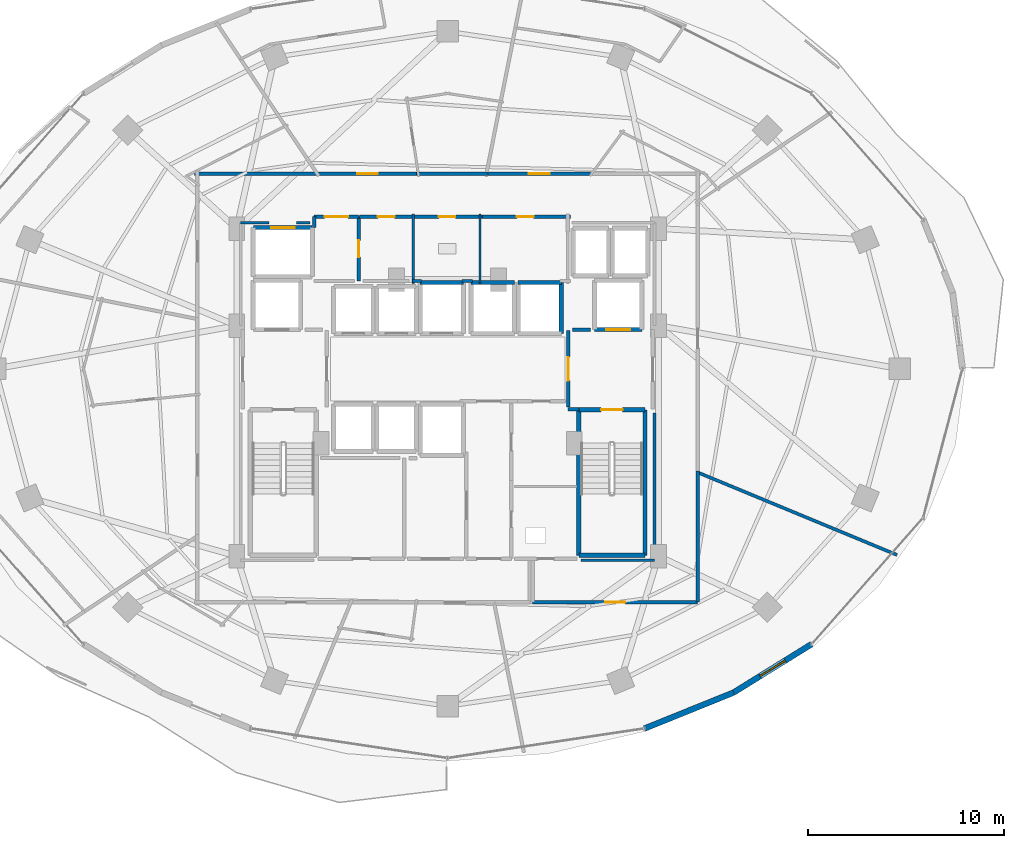
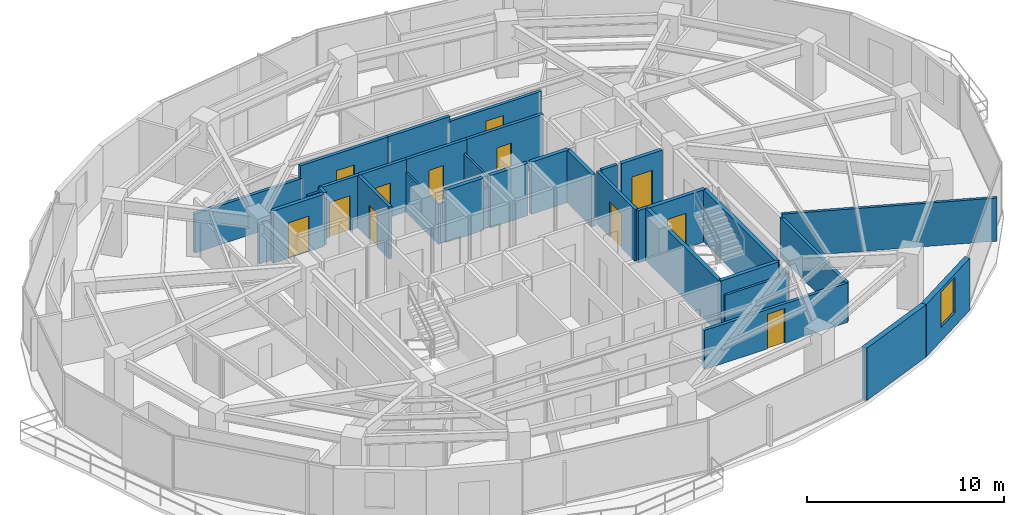
# One storey, part 24 of 29: 36 walls, 12 doors, 1 window, 13 openings.
"""IFC4 building model written with IfcOpenShell, lengths in metres."""

from ifc_helpers import new_model, si_unit, direction, frame, frame_2d, origin, place, context, subcontext, project, spatial, rectangle, extrude, material, layer, layer_set, type_object, element, fill, save


model = new_model("IFC4")

# Units and contexts
model_context = context("Model", 3, precision=1e-05, world=origin(), true_north=direction((0.0, 1.0)))
body_context = subcontext(model_context, "Body", "Model", "MODEL_VIEW")
ifc_project = project(units=[si_unit("LENGTHUNIT", "METRE"), si_unit("AREAUNIT", "SQUARE_METRE"), si_unit("VOLUMEUNIT", "CUBIC_METRE"), si_unit("PLANEANGLEUNIT", "RADIAN"), si_unit("MASSUNIT", "GRAM", prefix="KILO")], contexts=[model_context])

# Site, building, storey
site_placement = place(None, origin())
site = spatial("IfcSite", under=ifc_project, at=site_placement, CompositionType="ELEMENT")
building_placement = place(site_placement, origin())
building = spatial("IfcBuilding", under=site, at=building_placement, Name="Vorneva Point Tower", CompositionType="ELEMENT")
storey_placement = place(building_placement, frame((0.0, 0.0, 82.300048828125)))
storey = spatial("IfcBuildingStorey", under=building, at=storey_placement, Name="L21", CompositionType="ELEMENT", Elevation=82.300048828125)

# Wall, opening, door
ifc_material_1 = material(Name="Concrete B60 (C50/60)", Category="concrete")
ifc_layer_1 = layer(ifc_material_1, 0.5)
ifc_layer_set_1 = layer_set([ifc_layer_1], Name="Concrete B60 (C50/60)")
wall_type_1 = type_object("IfcWallType", Name="WL-CORE-500", PredefinedType="SHEAR", material=ifc_layer_set_1)
wall_1_placement = place(storey_placement, frame((45.5, 28.0, 0.0), z_axis=(0.0, 0.0, 1.0), x_axis=(1.0, 0.0, 0.0)))
wall_1 = element("IfcWall", 1, at=wall_1_placement, inside=storey, type_object=wall_type_1, Name="L21 Lift FFL2 Shaft Wall -Y", PredefinedType="SHEAR", context=body_context, shape_type="SweptSolid", body=[
    extrude(rectangle(XDim=2.39990234375, YDim=0.219970703125, at=frame_2d((1.199951171875, 0.0))), origin(), (0.0, 0.0, 1.0), 3.239990234375),
])
opening_1_placement = place(wall_1_placement, frame((0.60009765625, 0.0, 0.0)))
opening_1 = element("IfcOpeningElement", 2, at=opening_1_placement, cuts=wall_1, Name="Opening LD-02", PredefinedType="OPENING", context=body_context, shape_type="SweptSolid", body=[
    extrude(rectangle(XDim=1.199951171875, YDim=2.199951171875, at=frame_2d((0.60009765625, 1.10009765625))), frame((0.0, 0.125, 0.0), z_axis=(0.0, -1.0, 0.0), x_axis=(1.0, 0.0, 0.0)), (0.0, 0.0, 1.0), 0.249755859375),
])
ifc_material_2 = material(Name="Brushed stainless steel S304", Category="steel")
door_type_1 = type_object("IfcDoorType", Name="LD-FIRE-1200", OperationType="SLIDING_TO_LEFT", PredefinedType="DOOR", material=ifc_material_2)
door_1_placement = place(opening_1_placement, origin())
door_1 = element("IfcDoor", 3, at=door_1_placement, inside=storey, type_object=door_type_1, Name="L21 Lift FFL2 Sliding Landing Door", OperationType="SLIDING_TO_LEFT", OverallHeight=2.199951171875, OverallWidth=1.199951171875, PredefinedType="DOOR", context=body_context, shape_type="SweptSolid", body=[
    extrude(rectangle(XDim=1.199951171875, YDim=2.199951171875, at=frame_2d((0.60009765625, 1.10009765625))), frame((0.0, 0.02490234375, 0.0), z_axis=(0.0, -1.0, 0.0), x_axis=(1.0, 0.0, 0.0)), (0.0, 0.0, 1.0), 0.050048828125),
])
fill(opening_1, door_1)

# Wall
ifc_material_3 = material(Name="Precast concrete B50 (C40/50)", Category="concrete")
ifc_layer_2 = layer(ifc_material_3, 0.300048828125)
ifc_layer_set_2 = layer_set([ifc_layer_2], Name="Precast concrete B50 (C40/50)")
wall_type_2 = type_object("IfcWallType", Name="WL-EXT-300", PredefinedType="STANDARD", material=ifc_layer_set_2)
wall_2_placement = place(storey_placement, frame((48.04541015625, 7.660888671875, 0.0), z_axis=(0.0, 0.0, 1.0), x_axis=(0.927122233109, 0.374759075775, 0.0)))
element("IfcWall", 4, at=wall_2_placement, inside=storey, type_object=wall_type_2, Name="L21 Pale-Metal Facade Spandrel Wall 14.1", PredefinedType="STANDARD", context=body_context, shape_type="SweptSolid", body=[
    extrude(rectangle(XDim=4.89501953125, YDim=0.300048828125, at=frame_2d((2.447509765625, 0.0))), origin(), (0.0, 0.0, 1.0), 3.239990234375),
])

# Wall, opening, window
wall_3_placement = place(storey_placement, frame((52.583740234375, 9.495361328125, 0.0), z_axis=(0.0, 0.0, 1.0), x_axis=(0.849684479743, 0.527291461038, 0.0)))
wall_3 = element("IfcWall", 5, at=wall_3_placement, inside=storey, type_object=wall_type_2, Name="L21 Pale-Metal Facade Spandrel Wall 14.2", PredefinedType="STANDARD", context=body_context, shape_type="SweptSolid", body=[
    extrude(rectangle(XDim=4.681396484375, YDim=0.300048828125, at=frame_2d((2.3408203125, 0.0))), origin(), (0.0, 0.0, 1.0), 3.239990234375),
])
opening_2_placement = place(wall_3_placement, frame((1.5908203125, 0.0, 0.85009765625)))
opening_2 = element("IfcOpeningElement", 6, at=opening_2_placement, cuts=wall_3, Name="Opening W-02", PredefinedType="OPENING", context=body_context, shape_type="SweptSolid", body=[
    extrude(rectangle(XDim=1.5, YDim=2.18994140625, at=frame_2d((0.75, 1.094970703125))), frame((0.0, 0.1650390625, 0.0), z_axis=(0.0, -1.0, 0.0), x_axis=(1.0, 0.0, 0.0)), (0.0, 0.0, 1.0), 0.329833984375),
])
ifc_material_4 = material(Name="Double low-e laminated glass IGU", Category="glass")
window_type = type_object("IfcWindowType", Name="WN-HTL-1500", PartitioningType="SINGLE_PANEL", PredefinedType="WINDOW", material=ifc_material_4)
window_placement = place(opening_2_placement, origin())
window = element("IfcWindow", 7, at=window_placement, inside=storey, type_object=window_type, Name="L21 Facade Window 14", OverallHeight=2.18994140625, OverallWidth=1.5, PartitioningType="SINGLE_PANEL", PredefinedType="WINDOW", context=body_context, shape_type="SweptSolid", body=[
    extrude(rectangle(XDim=1.5, YDim=2.18994140625, at=frame_2d((0.75, 1.094970703125))), frame((0.0, 0.030029296875, 0.0), z_axis=(0.0, -1.0, 0.0), x_axis=(1.0, 0.0, 0.0)), (0.0, 0.0, 1.0), 0.06005859375),
])
fill(opening_2, window)

# Walls
ifc_material_5 = material(Name="Fire-rated acoustic gypsum stud partition", Category="gypsum")
ifc_layer_3 = layer(ifc_material_5, 0.110107421875)
ifc_layer_set_3 = layer_set([ifc_layer_3], Name="Fire-rated acoustic gypsum stud partition")
wall_type_3 = type_object("IfcWallType", Name="WL-PART-110", PredefinedType="PARTITIONING", material=ifc_layer_set_3)
for number, where, z_axis, x_axis, name in (
    (8, (36.25, 30.340087890625, 0.0), (0.0, 0.0, 1.0), (0.0, 1.0, 0.0), "L21 Interior Partition 017"),
    (9, (39.64990234375, 30.340087890625, 0.0), (0.0, 0.0, 1.0), (0.0, 1.0, 0.0), "L21 Interior Partition 019"),
):
    element("IfcWall", number, at=place(storey_placement, frame(where, z_axis=z_axis, x_axis=x_axis)), inside=storey, type_object=wall_type_3, Name=name, PredefinedType="PARTITIONING", context=body_context, shape_type="SweptSolid", body=[
        extrude(rectangle(XDim=3.559814453125, YDim=0.110107421875, at=frame_2d((1.77978515625, 0.0))), origin(), (0.0, 0.0, 1.0), 2.431884765625),
    ])
ifc_layer_4 = layer(ifc_material_5, 0.139892578125)
ifc_layer_set_4 = layer_set([ifc_layer_4], Name="Fire-rated acoustic gypsum stud partition")
wall_type_4 = type_object("IfcWallType", Name="WL-PART-140", PredefinedType="PARTITIONING", material=ifc_layer_set_4)
wall_4_placement = place(storey_placement, frame((36.219970703125, 30.47998046875, 0.0), z_axis=(0.0, 0.0, 1.0), x_axis=(1.0, 0.0, 0.0)))
element("IfcWall", 10, at=wall_4_placement, inside=storey, type_object=wall_type_4, Name="L21 Interior Closure Partition 098", PredefinedType="PARTITIONING", context=body_context, shape_type="SweptSolid", body=[
    extrude(rectangle(XDim=0.445068359375, YDim=0.139892578125, at=frame_2d((0.22265625, 0.0))), origin(), (0.0, 0.0, 1.0), 2.431884765625),
])
wall_5_placement = place(storey_placement, frame((38.735107421875, 30.47998046875, 0.0), z_axis=(0.0, 0.0, 1.0), x_axis=(1.0, 0.0, 0.0)))
element("IfcWall", 11, at=wall_5_placement, inside=storey, type_object=wall_type_4, Name="L21 Interior Closure Partition 099", PredefinedType="PARTITIONING", context=body_context, shape_type="SweptSolid", body=[
    extrude(rectangle(XDim=0.52978515625, YDim=0.139892578125, at=frame_2d((0.264892578125, 0.0))), origin(), (0.0, 0.0, 1.0), 2.431884765625),
])
wall_6_placement = place(storey_placement, frame((48.550048828125, 23.75390625, 0.0), z_axis=(0.0, 0.0, 1.0), x_axis=(0.0, -1.0, 0.0)))
element("IfcWall", 12, at=wall_6_placement, inside=storey, type_object=wall_type_4, Name="L21 Interior Closure Partition 106", PredefinedType="PARTITIONING", context=body_context, shape_type="SweptSolid", body=[
    extrude(rectangle(XDim=7.513916015625, YDim=0.139892578125, at=frame_2d((3.7568359375, 0.0))), origin(), (0.0, 0.0, 1.0), 2.431884765625),
])
wall_7_placement = place(storey_placement, frame((48.550048828125, 16.239990234375, 0.0), z_axis=(0.0, 0.0, 1.0), x_axis=(-1.0, 0.0, 0.0)))
element("IfcWall", 13, at=wall_7_placement, inside=storey, type_object=wall_type_4, Name="L21 Interior Closure Partition 107", PredefinedType="PARTITIONING", context=body_context, shape_type="SweptSolid", body=[
    extrude(rectangle(XDim=3.7451171875, YDim=0.139892578125, at=frame_2d((1.87255859375, 0.0))), origin(), (0.0, 0.0, 1.0), 2.431884765625),
])
wall_8_placement = place(storey_placement, frame((27.449951171875, 33.449951171875, 0.0), z_axis=(0.0, 0.0, 1.0), x_axis=(1.0, 0.0, 0.0)))
element("IfcWall", 14, at=wall_8_placement, inside=storey, type_object=wall_type_4, Name="L21 Interior Closure Partition 111", PredefinedType="PARTITIONING", context=body_context, shape_type="SweptSolid", body=[
    extrude(rectangle(XDim=1.444091796875, YDim=0.139892578125, at=frame_2d((0.72216796875, 0.0))), origin(), (0.0, 0.0, 1.0), 2.431884765625),
])
wall_9_placement = place(storey_placement, frame((30.305908203125, 33.449951171875, 0.0), z_axis=(0.0, 0.0, 1.0), x_axis=(1.0, 0.0, 0.0)))
element("IfcWall", 15, at=wall_9_placement, inside=storey, type_object=wall_type_4, Name="L21 Interior Closure Partition 112", PredefinedType="PARTITIONING", context=body_context, shape_type="SweptSolid", body=[
    extrude(rectangle(XDim=0.674072265625, YDim=0.139892578125, at=frame_2d((0.3369140625, 0.0))), origin(), (0.0, 0.0, 1.0), 3.239990234375),
])
ifc_layer_5 = layer(ifc_material_5, 0.159912109375)
ifc_layer_set_5 = layer_set([ifc_layer_5], Name="Fire-rated acoustic gypsum stud partition")
wall_type_5 = type_object("IfcWallType", Name="WL-PART-160", PredefinedType="PARTITIONING", material=ifc_layer_set_5)
wall_10_placement = place(storey_placement, frame((60.910888671875, 16.510009765625, 0.0), z_axis=(0.0, 0.0, 1.0), x_axis=(-0.923872894692, 0.382699457086, 0.0)))
element("IfcWall", 16, at=wall_10_placement, inside=storey, type_object=wall_type_5, Name="L21 Interior Partition 093", PredefinedType="PARTITIONING", context=body_context, shape_type="SweptSolid", body=[
    extrude(rectangle(XDim=10.998046875, YDim=0.159912109375, at=frame_2d((5.4990234375, 0.0))), origin(), (0.0, 0.0, 1.0), 2.677001953125),
])

# Wall, opening, door
ifc_material_6 = material(Name="Autoclaved aerated concrete blockwork", Category="masonry")
ifc_layer_6 = layer(ifc_material_6, 0.179931640625)
ifc_layer_set_6 = layer_set([ifc_layer_6], Name="Autoclaved aerated concrete blockwork")
wall_type_6 = type_object("IfcWallType", Name="WL-PART-180", PredefinedType="PARTITIONING", material=ifc_layer_set_6)
wall_11_placement = place(storey_placement, frame((44.14990234375, 27.955078125, 0.0), z_axis=(0.0, 0.0, 1.0), x_axis=(0.0, -1.0, 0.0)))
wall_11 = element("IfcWall", 17, at=wall_11_placement, inside=storey, type_object=wall_type_6, Name="L21 Interior Partition 003", PredefinedType="PARTITIONING", context=body_context, shape_type="SweptSolid", body=[
    extrude(rectangle(XDim=3.91015625, YDim=0.179931640625, at=frame_2d((1.955078125, 0.0))), origin(), (0.0, 0.0, 1.0), 3.239990234375),
])
opening_3_placement = place(wall_11_placement, frame((1.35498046875, 0.0, 0.0)))
opening_3 = element("IfcOpeningElement", 18, at=opening_3_placement, cuts=wall_11, Name="Opening FD-02", PredefinedType="OPENING", context=body_context, shape_type="SweptSolid", body=[
    extrude(rectangle(XDim=1.199951171875, YDim=2.14990234375, at=frame_2d((0.60009765625, 1.074951171875))), frame((0.0, 0.10498046875, 0.0), z_axis=(0.0, -1.0, 0.0), x_axis=(1.0, 0.0, 0.0)), (0.0, 0.0, 1.0), 0.209716796875),
])
ifc_material_7 = material(Name="Fire-rated powder-coated steel", Category="steel")
door_type_2 = type_object("IfcDoorType", Name="DR-FFL-1200", OperationType="NOTDEFINED", PredefinedType="DOOR", material=ifc_material_7)
door_2_placement = place(opening_3_placement, origin())
door_2 = element("IfcDoor", 19, at=door_2_placement, inside=storey, type_object=door_type_2, Name="L21 Door East Firefighting Lobby / Central Lift Lobby", OperationType="SINGLE_SWING_LEFT", OverallHeight=2.14990234375, OverallWidth=1.199951171875, PredefinedType="DOOR", context=body_context, shape_type="SweptSolid", body=[
    extrude(rectangle(XDim=1.199951171875, YDim=2.14990234375, at=frame_2d((0.60009765625, 1.074951171875))), frame((0.0, 0.02490234375, 0.0), z_axis=(0.0, -1.0, 0.0), x_axis=(1.0, 0.0, 0.0)), (0.0, 0.0, 1.0), 0.050048828125),
])
fill(opening_3, door_2)

# Wall
wall_12_placement = place(storey_placement, frame((44.14990234375, 23.949951171875, 0.0), z_axis=(0.0, 0.0, 1.0), x_axis=(1.0, 0.0, 0.0)))
element("IfcWall", 20, at=wall_12_placement, inside=storey, type_object=wall_type_6, Name="L21 Interior Partition 004", PredefinedType="PARTITIONING", context=body_context, shape_type="SweptSolid", body=[
    extrude(rectangle(XDim=0.5400390625, YDim=0.179931640625, at=frame_2d((0.27001953125, 0.0))), origin(), (0.0, 0.0, 1.0), 3.239990234375),
])

# Wall, opening, door
wall_13_placement = place(storey_placement, frame((33.469970703125, 30.47998046875, 0.0), z_axis=(0.0, 0.0, 1.0), x_axis=(0.0, 1.0, 0.0)))
wall_13 = element("IfcWall", 21, at=wall_13_placement, inside=storey, type_object=wall_type_6, Name="L21 Interior Partition 006", PredefinedType="PARTITIONING", context=body_context, shape_type="SweptSolid", body=[
    extrude(rectangle(XDim=3.280029296875, YDim=0.179931640625, at=frame_2d((1.64013671875, 0.0))), origin(), (0.0, 0.0, 1.0), 3.239990234375),
])
opening_4_placement = place(wall_13_placement, frame((1.215087890625, 0.0, 0.0)))
opening_4 = element("IfcOpeningElement", 22, at=opening_4_placement, cuts=wall_13, Name="Opening ID-02", PredefinedType="OPENING", context=body_context, shape_type="SweptSolid", body=[
    extrude(rectangle(XDim=0.85009765625, YDim=2.10009765625, at=frame_2d((0.425048828125, 1.050048828125))), frame((0.0, 0.10498046875, 0.0), z_axis=(0.0, -1.0, 0.0), x_axis=(1.0, 0.0, 0.0)), (0.0, 0.0, 1.0), 0.209716796875),
])
ifc_material_8 = material(Name="Engineered oak fire-rated door leaf", Category="wood")
door_type_3 = type_object("IfcDoorType", Name="DR-BATH-850", OperationType="NOTDEFINED", PredefinedType="DOOR", material=ifc_material_8)
door_3_placement = place(opening_4_placement, origin())
door_3 = element("IfcDoor", 23, at=door_3_placement, inside=storey, type_object=door_type_3, Name="L21 Door Service Lift Lobby / Core Supply Store", OperationType="SINGLE_SWING_LEFT", OverallHeight=2.10009765625, OverallWidth=0.85009765625, PredefinedType="DOOR", context=body_context, shape_type="SweptSolid", body=[
    extrude(rectangle(XDim=0.85009765625, YDim=2.10009765625, at=frame_2d((0.425048828125, 1.050048828125))), frame((0.0, 0.02490234375, 0.0), z_axis=(0.0, -1.0, 0.0), x_axis=(1.0, 0.0, 0.0)), (0.0, 0.0, 1.0), 0.050048828125),
])
fill(opening_4, door_3)

wall_14_placement = place(storey_placement, frame((33.469970703125, 33.760009765625, 0.0), z_axis=(0.0, 0.0, 1.0), x_axis=(-1.0, 0.0, 0.0)))
wall_14 = element("IfcWall", 24, at=wall_14_placement, inside=storey, type_object=wall_type_6, Name="L21 Interior Partition 007", PredefinedType="PARTITIONING", context=body_context, shape_type="SweptSolid", body=[
    extrude(rectangle(XDim=2.27001953125, YDim=0.179931640625, at=frame_2d((1.135009765625, 0.0))), origin(), (0.0, 0.0, 1.0), 3.239990234375),
])
opening_5_placement = place(wall_14_placement, frame((0.534912109375, 0.0, 0.0)))
opening_5 = element("IfcOpeningElement", 25, at=opening_5_placement, cuts=wall_14, Name="Opening FD-02", PredefinedType="OPENING", context=body_context, shape_type="SweptSolid", body=[
    extrude(rectangle(XDim=1.199951171875, YDim=2.14990234375, at=frame_2d((0.60009765625, 1.074951171875))), frame((0.0, 0.10498046875, 0.0), z_axis=(0.0, -1.0, 0.0), x_axis=(1.0, 0.0, 0.0)), (0.0, 0.0, 1.0), 0.209716796875),
])
door_4_placement = place(opening_5_placement, origin())
door_4 = element("IfcDoor", 26, at=door_4_placement, inside=storey, type_object=door_type_2, Name="L21 Door Service Lift Lobby / L21 Circulation Corridor", OperationType="SINGLE_SWING_RIGHT", OverallHeight=2.14990234375, OverallWidth=1.199951171875, PredefinedType="DOOR", context=body_context, shape_type="SweptSolid", body=[
    extrude(rectangle(XDim=1.199951171875, YDim=2.14990234375, at=frame_2d((0.60009765625, 1.074951171875))), frame((0.0, 0.02490234375, 0.0), z_axis=(0.0, -1.0, 0.0), x_axis=(1.0, 0.0, 0.0)), (0.0, 0.0, 1.0), 0.050048828125),
])
fill(opening_5, door_4)

# Wall
wall_15_placement = place(storey_placement, frame((31.199951171875, 33.760009765625, 0.0), z_axis=(0.0, 0.0, 1.0), x_axis=(0.0, -1.0, 0.0)))
element("IfcWall", 27, at=wall_15_placement, inside=storey, type_object=wall_type_6, Name="L21 Interior Partition 008", PredefinedType="PARTITIONING", context=body_context, shape_type="SweptSolid", body=[
    extrude(rectangle(XDim=0.56005859375, YDim=0.179931640625, at=frame_2d((0.280029296875, 0.0))), origin(), (0.0, 0.0, 1.0), 3.239990234375),
])

# Wall, opening, door
wall_16_placement = place(storey_placement, frame((36.25, 33.760009765625, 0.0), z_axis=(0.0, 0.0, 1.0), x_axis=(-1.0, 0.0, 0.0)))
wall_16 = element("IfcWall", 28, at=wall_16_placement, inside=storey, type_object=wall_type_6, Name="L21 Interior Partition 018", PredefinedType="PARTITIONING", context=body_context, shape_type="SweptSolid", body=[
    extrude(rectangle(XDim=2.75, YDim=0.179931640625, at=frame_2d((1.375, 0.0))), origin(), (0.0, 0.0, 1.0), 3.239990234375),
])
opening_6_placement = place(wall_16_placement, frame((0.949951171875, 0.0, 0.0)))
opening_6 = element("IfcOpeningElement", 29, at=opening_6_placement, cuts=wall_16, Name="Opening ID-02", PredefinedType="OPENING", context=body_context, shape_type="SweptSolid", body=[
    extrude(rectangle(XDim=0.85009765625, YDim=2.10009765625, at=frame_2d((0.425048828125, 1.050048828125))), frame((0.0, 0.10498046875, 0.0), z_axis=(0.0, -1.0, 0.0), x_axis=(1.0, 0.0, 0.0)), (0.0, 0.0, 1.0), 0.209716796875),
])
door_5_placement = place(opening_6_placement, origin())
door_5 = element("IfcDoor", 30, at=door_5_placement, inside=storey, type_object=door_type_3, Name="L21 Door Core Supply Store / L21 Circulation Corridor", OperationType="SINGLE_SWING_RIGHT", OverallHeight=2.10009765625, OverallWidth=0.85009765625, PredefinedType="DOOR", context=body_context, shape_type="SweptSolid", body=[
    extrude(rectangle(XDim=0.85009765625, YDim=2.10009765625, at=frame_2d((0.425048828125, 1.050048828125))), frame((0.0, 0.02490234375, 0.0), z_axis=(0.0, -1.0, 0.0), x_axis=(1.0, 0.0, 0.0)), (0.0, 0.0, 1.0), 0.050048828125),
])
fill(opening_6, door_5)

wall_17_placement = place(storey_placement, frame((39.7900390625, 33.760009765625, 0.0), z_axis=(0.0, 0.0, 1.0), x_axis=(-1.0, 0.0, 0.0)))
wall_17 = element("IfcWall", 31, at=wall_17_placement, inside=storey, type_object=wall_type_6, Name="L21 Interior Partition 020", PredefinedType="PARTITIONING", context=body_context, shape_type="SweptSolid", body=[
    extrude(rectangle(XDim=3.630126953125, YDim=0.179931640625, at=frame_2d((1.81494140625, 0.0))), origin(), (0.0, 0.0, 1.0), 3.239990234375),
])
opening_7_placement = place(wall_17_placement, frame((1.389892578125, 0.0, 0.0)))
opening_7 = element("IfcOpeningElement", 32, at=opening_7_placement, cuts=wall_17, Name="Opening ID-02", PredefinedType="OPENING", context=body_context, shape_type="SweptSolid", body=[
    extrude(rectangle(XDim=0.85009765625, YDim=2.10009765625, at=frame_2d((0.425048828125, 1.050048828125))), frame((0.0, 0.10498046875, 0.0), z_axis=(0.0, -1.0, 0.0), x_axis=(1.0, 0.0, 0.0)), (0.0, 0.0, 1.0), 0.209716796875),
])
door_6_placement = place(opening_7_placement, origin())
door_6 = element("IfcDoor", 33, at=door_6_placement, inside=storey, type_object=door_type_3, Name="L21 Door Accessible WC / L21 Circulation Corridor", OperationType="SINGLE_SWING_LEFT", OverallHeight=2.10009765625, OverallWidth=0.85009765625, PredefinedType="DOOR", context=body_context, shape_type="SweptSolid", body=[
    extrude(rectangle(XDim=0.85009765625, YDim=2.10009765625, at=frame_2d((0.425048828125, 1.050048828125))), frame((0.0, 0.02490234375, 0.0), z_axis=(0.0, -1.0, 0.0), x_axis=(1.0, 0.0, 0.0)), (0.0, 0.0, 1.0), 0.050048828125),
])
fill(opening_7, door_6)

wall_18_placement = place(storey_placement, frame((44.260009765625, 33.760009765625, 0.0), z_axis=(0.0, 0.0, 1.0), x_axis=(-1.0, 0.0, 0.0)))
wall_18 = element("IfcWall", 34, at=wall_18_placement, inside=storey, type_object=wall_type_6, Name="L21 Interior Partition 021", PredefinedType="PARTITIONING", context=body_context, shape_type="SweptSolid", body=[
    extrude(rectangle(XDim=4.610107421875, YDim=0.179931640625, at=frame_2d((2.30517578125, 0.0))), origin(), (0.0, 0.0, 1.0), 3.239990234375),
])
opening_8_placement = place(wall_18_placement, frame((1.8798828125, 0.0, 0.0)))
opening_8 = element("IfcOpeningElement", 35, at=opening_8_placement, cuts=wall_18, Name="Opening ID-02", PredefinedType="OPENING", context=body_context, shape_type="SweptSolid", body=[
    extrude(rectangle(XDim=0.85009765625, YDim=2.10009765625, at=frame_2d((0.425048828125, 1.050048828125))), frame((0.0, 0.10498046875, 0.0), z_axis=(0.0, -1.0, 0.0), x_axis=(1.0, 0.0, 0.0)), (0.0, 0.0, 1.0), 0.209716796875),
])
door_7_placement = place(opening_8_placement, origin())
door_7 = element("IfcDoor", 36, at=door_7_placement, inside=storey, type_object=door_type_3, Name="L21 Door Public WC / L21 Circulation Corridor", OperationType="SINGLE_SWING_RIGHT", OverallHeight=2.10009765625, OverallWidth=0.85009765625, PredefinedType="DOOR", context=body_context, shape_type="SweptSolid", body=[
    extrude(rectangle(XDim=0.85009765625, YDim=2.10009765625, at=frame_2d((0.425048828125, 1.050048828125))), frame((0.0, 0.02490234375, 0.0), z_axis=(0.0, -1.0, 0.0), x_axis=(1.0, 0.0, 0.0)), (0.0, 0.0, 1.0), 0.050048828125),
])
fill(opening_8, door_7)

wall_19_placement = place(storey_placement, frame((45.424072265625, 35.949951171875, 0.0), z_axis=(0.0, 0.0, 1.0), x_axis=(-1.0, 0.0, 0.0)))
wall_19 = element("IfcWall", 37, at=wall_19_placement, inside=storey, type_object=wall_type_6, Name="L21 Interior Partition 026", PredefinedType="PARTITIONING", context=body_context, shape_type="SweptSolid", body=[
    extrude(rectangle(XDim=5.505126953125, YDim=0.179931640625, at=frame_2d((2.75244140625, 0.0))), origin(), (0.0, 0.0, 1.0), 2.921875),
])
opening_9_placement = place(wall_19_placement, frame((2.2275390625, 0.0, 0.0)))
opening_9 = element("IfcOpeningElement", 38, at=opening_9_placement, cuts=wall_19, Name="Opening UD-02", PredefinedType="OPENING", context=body_context, shape_type="SweptSolid", body=[
    extrude(rectangle(XDim=1.050048828125, YDim=2.199951171875, at=frame_2d((0.52490234375, 1.10009765625))), frame((0.0, 0.10498046875, 0.0), z_axis=(0.0, -1.0, 0.0), x_axis=(1.0, 0.0, 0.0)), (0.0, 0.0, 1.0), 0.209716796875),
])
door_type_4 = type_object("IfcDoorType", Name="DR-SUITE-1050", OperationType="NOTDEFINED", PredefinedType="DOOR", material=ifc_material_8)
door_8_placement = place(opening_9_placement, origin())
door_8 = element("IfcDoor", 39, at=door_8_placement, inside=storey, type_object=door_type_4, Name="L21 Door L21 Circulation Corridor / Corner Suite L21-01", OperationType="SINGLE_SWING_LEFT", OverallHeight=2.199951171875, OverallWidth=1.050048828125, PredefinedType="DOOR", context=body_context, shape_type="SweptSolid", body=[
    extrude(rectangle(XDim=1.050048828125, YDim=2.199951171875, at=frame_2d((0.52490234375, 1.10009765625))), frame((0.0, 0.02490234375, 0.0), z_axis=(0.0, -1.0, 0.0), x_axis=(1.0, 0.0, 0.0)), (0.0, 0.0, 1.0), 0.050048828125),
])
fill(opening_9, door_8)

wall_20_placement = place(storey_placement, frame((36.56396484375, 35.949951171875, 0.0), z_axis=(0.0, 0.0, 1.0), x_axis=(-1.0, 0.0, 0.0)))
wall_20 = element("IfcWall", 40, at=wall_20_placement, inside=storey, type_object=wall_type_6, Name="L21 Interior Partition 029", PredefinedType="PARTITIONING", context=body_context, shape_type="SweptSolid", body=[
    extrude(rectangle(XDim=5.283935546875, YDim=0.179931640625, at=frame_2d((2.64208984375, 0.0))), origin(), (0.0, 0.0, 1.0), 3.239990234375),
])
opening_10_placement = place(wall_20_placement, frame((2.116943359375, 0.0, 0.0)))
opening_10 = element("IfcOpeningElement", 41, at=opening_10_placement, cuts=wall_20, Name="Opening UD-02", PredefinedType="OPENING", context=body_context, shape_type="SweptSolid", body=[
    extrude(rectangle(XDim=1.050048828125, YDim=2.199951171875, at=frame_2d((0.52490234375, 1.10009765625))), frame((0.0, 0.10498046875, 0.0), z_axis=(0.0, -1.0, 0.0), x_axis=(1.0, 0.0, 0.0)), (0.0, 0.0, 1.0), 0.209716796875),
])
door_9_placement = place(opening_10_placement, origin())
door_9 = element("IfcDoor", 42, at=door_9_placement, inside=storey, type_object=door_type_4, Name="L21 Door L21 Circulation Corridor / Junior Suite L21-02", OperationType="SINGLE_SWING_RIGHT", OverallHeight=2.199951171875, OverallWidth=1.050048828125, PredefinedType="DOOR", context=body_context, shape_type="SweptSolid", body=[
    extrude(rectangle(XDim=1.050048828125, YDim=2.199951171875, at=frame_2d((0.52490234375, 1.10009765625))), frame((0.0, 0.02490234375, 0.0), z_axis=(0.0, -1.0, 0.0), x_axis=(1.0, 0.0, 0.0)), (0.0, 0.0, 1.0), 0.050048828125),
])
fill(opening_10, door_9)

# Walls
wall_21_placement = place(storey_placement, frame((40.05908203125, 35.949951171875, 0.0), z_axis=(0.0, 0.0, 1.0), x_axis=(-1.0, 0.0, 0.0)))
element("IfcWall", 43, at=wall_21_placement, inside=storey, type_object=wall_type_6, Name="L21 Interior Partition 030", PredefinedType="PARTITIONING", context=body_context, shape_type="SweptSolid", body=[
    extrude(rectangle(XDim=3.635009765625, YDim=0.179931640625, at=frame_2d((1.8173828125, 0.0))), origin(), (0.0, 0.0, 1.0), 3.239990234375),
])
wall_22_placement = place(storey_placement, frame((31.419921875, 35.949951171875, 0.0), z_axis=(0.0, 0.0, 1.0), x_axis=(-1.0, 0.0, 0.0)))
element("IfcWall", 44, at=wall_22_placement, inside=storey, type_object=wall_type_6, Name="L21 Interior Partition 032", PredefinedType="PARTITIONING", context=body_context, shape_type="SweptSolid", body=[
    extrude(rectangle(XDim=6.309814453125, YDim=0.179931640625, at=frame_2d((3.15478515625, 0.0))), origin(), (0.0, 0.0, 1.0), 2.431884765625),
])

# Wall, opening, door
wall_23_placement = place(storey_placement, frame((42.340087890625, 14.10009765625, 0.0), z_axis=(0.0, 0.0, 1.0), x_axis=(1.0, 0.0, 0.0)))
wall_23 = element("IfcWall", 45, at=wall_23_placement, inside=storey, type_object=wall_type_6, Name="L21 Interior Partition 042", PredefinedType="PARTITIONING", context=body_context, shape_type="SweptSolid", body=[
    extrude(rectangle(XDim=8.409912109375, YDim=0.179931640625, at=frame_2d((4.205078125, 0.0))), origin(), (0.0, 0.0, 1.0), 2.431884765625),
])
opening_11_placement = place(wall_23_placement, frame((3.705078125, 0.0, 0.0)))
opening_11 = element("IfcOpeningElement", 46, at=opening_11_placement, cuts=wall_23, Name="Opening UD-01", PredefinedType="OPENING", context=body_context, shape_type="SweptSolid", body=[
    extrude(rectangle(XDim=1.0, YDim=2.14990234375, at=frame_2d((0.5, 1.074951171875))), frame((0.0, 0.10498046875, 0.0), z_axis=(0.0, -1.0, 0.0), x_axis=(1.0, 0.0, 0.0)), (0.0, 0.0, 1.0), 0.209716796875),
])
door_type_5 = type_object("IfcDoorType", Name="DR-UNIT-1000", OperationType="NOTDEFINED", PredefinedType="DOOR", material=ifc_material_8)
door_10_placement = place(opening_11_placement, origin())
door_10 = element("IfcDoor", 47, at=door_10_placement, inside=storey, type_object=door_type_5, Name="L21 Door L21 Circulation Corridor / Hotel Club Lounge L21-07", OperationType="SINGLE_SWING_LEFT", OverallHeight=2.14990234375, OverallWidth=1.0, PredefinedType="DOOR", context=body_context, shape_type="SweptSolid", body=[
    extrude(rectangle(XDim=1.0, YDim=2.14990234375, at=frame_2d((0.5, 1.074951171875))), frame((0.0, 0.02490234375, 0.0), z_axis=(0.0, -1.0, 0.0), x_axis=(1.0, 0.0, 0.0)), (0.0, 0.0, 1.0), 0.050048828125),
])
fill(opening_11, door_10)

# Walls
wall_24_placement = place(storey_placement, frame((50.75, 14.10009765625, 0.0), z_axis=(0.0, 0.0, 1.0), x_axis=(0.0, 1.0, 0.0)))
element("IfcWall", 48, at=wall_24_placement, inside=storey, type_object=wall_type_6, Name="L21 Interior Partition 043", PredefinedType="PARTITIONING", context=body_context, shape_type="SweptSolid", body=[
    extrude(rectangle(XDim=6.678955078125, YDim=0.179931640625, at=frame_2d((3.33935546875, 0.0))), origin(), (0.0, 0.0, 1.0), 2.431884765625),
])
wall_25_placement = place(storey_placement, frame((45.280029296875, 28.0, 0.0), z_axis=(0.0, 0.0, 1.0), x_axis=(-1.0, 0.0, 0.0)))
element("IfcWall", 49, at=wall_25_placement, inside=storey, type_object=wall_type_6, Name="L21 Interior Closure Partition 095", PredefinedType="PARTITIONING", context=body_context, shape_type="SweptSolid", body=[
    extrude(rectangle(XDim=0.9150390625, YDim=0.179931640625, at=frame_2d((0.45751953125, 0.0))), origin(), (0.0, 0.0, 1.0), 3.239990234375),
])

# Wall, opening, door
ifc_material_9 = material(Name="Concrete B50 (C40/50)", Category="concrete")
ifc_layer_7 = layer(ifc_material_9, 0.219970703125)
ifc_layer_set_7 = layer_set([ifc_layer_7], Name="Concrete B50 (C40/50)")
wall_type_7 = type_object("IfcWallType", Name="WL-SHFT-220", PredefinedType="SOLIDWALL", material=ifc_layer_set_7)
wall_26_placement = place(storey_placement, frame((44.68994140625, 23.909912109375, 0.0), z_axis=(0.0, 0.0, 1.0), x_axis=(1.0, 0.0, 0.0)))
wall_26 = element("IfcWall", 50, at=wall_26_placement, inside=storey, type_object=wall_type_7, Name="L21 Exit Stair ST2 Shaft Wall near", PredefinedType="SOLIDWALL", context=body_context, shape_type="SweptSolid", body=[
    extrude(rectangle(XDim=3.3701171875, YDim=0.219970703125, at=frame_2d((1.68505859375, 0.0))), origin(), (0.0, 0.0, 1.0), 3.239990234375),
])
opening_12_placement = place(wall_26_placement, frame((1.135009765625, 0.0, 0.0)))
opening_12 = element("IfcOpeningElement", 51, at=opening_12_placement, cuts=wall_26, Name="Opening FD-01", PredefinedType="OPENING", context=body_context, shape_type="SweptSolid", body=[
    extrude(rectangle(XDim=1.10009765625, YDim=2.14990234375, at=frame_2d((0.550048828125, 1.074951171875))), frame((0.0, 0.125, 0.0), z_axis=(0.0, -1.0, 0.0), x_axis=(1.0, 0.0, 0.0)), (0.0, 0.0, 1.0), 0.249755859375),
])
door_type_6 = type_object("IfcDoorType", Name="DR-STAIR-1100", OperationType="NOTDEFINED", PredefinedType="DOOR", material=ifc_material_7)
door_11_placement = place(opening_12_placement, origin())
door_11 = element("IfcDoor", 52, at=door_11_placement, inside=storey, type_object=door_type_6, Name="L21 Exit Stair ST2 Fire Door", OperationType="SINGLE_SWING_RIGHT", OverallHeight=2.14990234375, OverallWidth=1.10009765625, PredefinedType="DOOR", context=body_context, shape_type="SweptSolid", body=[
    extrude(rectangle(XDim=1.10009765625, YDim=2.14990234375, at=frame_2d((0.550048828125, 1.074951171875))), frame((0.0, 0.02490234375, 0.0), z_axis=(0.0, -1.0, 0.0), x_axis=(1.0, 0.0, 0.0)), (0.0, 0.0, 1.0), 0.050048828125),
])
fill(opening_12, door_11)

# Walls
wall_27_placement = place(storey_placement, frame((48.06005859375, 23.909912109375, 0.0), z_axis=(0.0, 0.0, 1.0), x_axis=(0.0, -1.0, 0.0)))
element("IfcWall", 53, at=wall_27_placement, inside=storey, type_object=wall_type_7, Name="L21 Exit Stair ST2 Shaft Wall right", PredefinedType="SOLIDWALL", context=body_context, shape_type="SweptSolid", body=[
    extrude(rectangle(XDim=7.419921875, YDim=0.219970703125, at=frame_2d((3.7099609375, 0.0))), origin(), (0.0, 0.0, 1.0), 3.239990234375),
])
wall_28_placement = place(storey_placement, frame((48.06005859375, 16.489990234375, 0.0), z_axis=(0.0, 0.0, 1.0), x_axis=(-1.0, 0.0, 0.0)))
element("IfcWall", 54, at=wall_28_placement, inside=storey, type_object=wall_type_7, Name="L21 Exit Stair ST2 Shaft Wall far", PredefinedType="SOLIDWALL", context=body_context, shape_type="SweptSolid", body=[
    extrude(rectangle(XDim=3.3701171875, YDim=0.219970703125, at=frame_2d((1.68505859375, 0.0))), origin(), (0.0, 0.0, 1.0), 3.239990234375),
])
wall_29_placement = place(storey_placement, frame((44.68994140625, 16.489990234375, 0.0), z_axis=(0.0, 0.0, 1.0), x_axis=(0.0, 1.0, 0.0)))
element("IfcWall", 55, at=wall_29_placement, inside=storey, type_object=wall_type_7, Name="L21 Exit Stair ST2 Shaft Wall left", PredefinedType="SOLIDWALL", context=body_context, shape_type="SweptSolid", body=[
    extrude(rectangle(XDim=7.419921875, YDim=0.219970703125, at=frame_2d((3.7099609375, 0.0))), origin(), (0.0, 0.0, 1.0), 3.239990234375),
])
for number, where, z_axis, x_axis, name in (
    (56, (38.800048828125, 30.39990234375, 0.0), (0.0, 0.0, 1.0), (-1.0, 0.0, 0.0), "L21 Lift PL3 Shaft Wall +Y"),
    (57, (41.39990234375, 30.39990234375, 0.0), (0.0, 0.0, 1.0), (-1.0, 0.0, 0.0), "L21 Lift PL7 Shaft Wall +Y"),
):
    element("IfcWall", number, at=place(storey_placement, frame(where, z_axis=z_axis, x_axis=x_axis)), inside=storey, type_object=wall_type_7, Name=name, PredefinedType="SOLIDWALL", context=body_context, shape_type="SweptSolid", body=[
        extrude(rectangle(XDim=2.199951171875, YDim=0.219970703125, at=frame_2d((1.10009765625, 0.0))), origin(), (0.0, 0.0, 1.0), 3.239990234375),
    ])
wall_30_placement = place(storey_placement, frame((43.800048828125, 27.800048828125, 0.0), z_axis=(0.0, 0.0, 1.0), x_axis=(0.0, 1.0, 0.0)))
element("IfcWall", 58, at=wall_30_placement, inside=storey, type_object=wall_type_7, Name="L21 Lift PL8 Shaft Wall +X", PredefinedType="SOLIDWALL", context=body_context, shape_type="SweptSolid", body=[
    extrude(rectangle(XDim=2.599853515625, YDim=0.219970703125, at=frame_2d((1.2998046875, 0.0))), origin(), (0.0, 0.0, 1.0), 3.239990234375),
])
wall_31_placement = place(storey_placement, frame((43.800048828125, 30.39990234375, 0.0), z_axis=(0.0, 0.0, 1.0), x_axis=(-1.0, 0.0, 0.0)))
element("IfcWall", 59, at=wall_31_placement, inside=storey, type_object=wall_type_7, Name="L21 Lift PL8 Shaft Wall +Y", PredefinedType="SOLIDWALL", context=body_context, shape_type="SweptSolid", body=[
    extrude(rectangle(XDim=2.199951171875, YDim=0.219970703125, at=frame_2d((1.10009765625, 0.0))), origin(), (0.0, 0.0, 1.0), 3.239990234375),
])

# Wall, opening, door
wall_32_placement = place(storey_placement, frame((31.10009765625, 33.199951171875, 0.0), z_axis=(0.0, 0.0, 1.0), x_axis=(-1.0, 0.0, 0.0)))
wall_32 = element("IfcWall", 60, at=wall_32_placement, inside=storey, type_object=wall_type_7, Name="L21 Lift SVL1 Shaft Wall +Y", PredefinedType="SOLIDWALL", context=body_context, shape_type="SweptSolid", body=[
    extrude(rectangle(XDim=3.0, YDim=0.219970703125, at=frame_2d((1.5, 0.0))), origin(), (0.0, 0.0, 1.0), 3.239990234375),
])
opening_13_placement = place(wall_32_placement, frame((0.89990234375, 0.0, 0.0)))
opening_13 = element("IfcOpeningElement", 61, at=opening_13_placement, cuts=wall_32, Name="Opening LD-02", PredefinedType="OPENING", context=body_context, shape_type="SweptSolid", body=[
    extrude(rectangle(XDim=1.199951171875, YDim=2.199951171875, at=frame_2d((0.60009765625, 1.10009765625))), frame((0.0, 0.125, 0.0), z_axis=(0.0, -1.0, 0.0), x_axis=(1.0, 0.0, 0.0)), (0.0, 0.0, 1.0), 0.249755859375),
])
door_12_placement = place(opening_13_placement, origin())
door_12 = element("IfcDoor", 62, at=door_12_placement, inside=storey, type_object=door_type_1, Name="L21 Lift SVL1 Sliding Landing Door", OperationType="SLIDING_TO_LEFT", OverallHeight=2.199951171875, OverallWidth=1.199951171875, PredefinedType="DOOR", context=body_context, shape_type="SweptSolid", body=[
    extrude(rectangle(XDim=1.199951171875, YDim=2.199951171875, at=frame_2d((0.60009765625, 1.10009765625))), frame((0.0, 0.02490234375, 0.0), z_axis=(0.0, -1.0, 0.0), x_axis=(1.0, 0.0, 0.0)), (0.0, 0.0, 1.0), 0.050048828125),
])
fill(opening_13, door_12)

save(model, "model.ifc")
